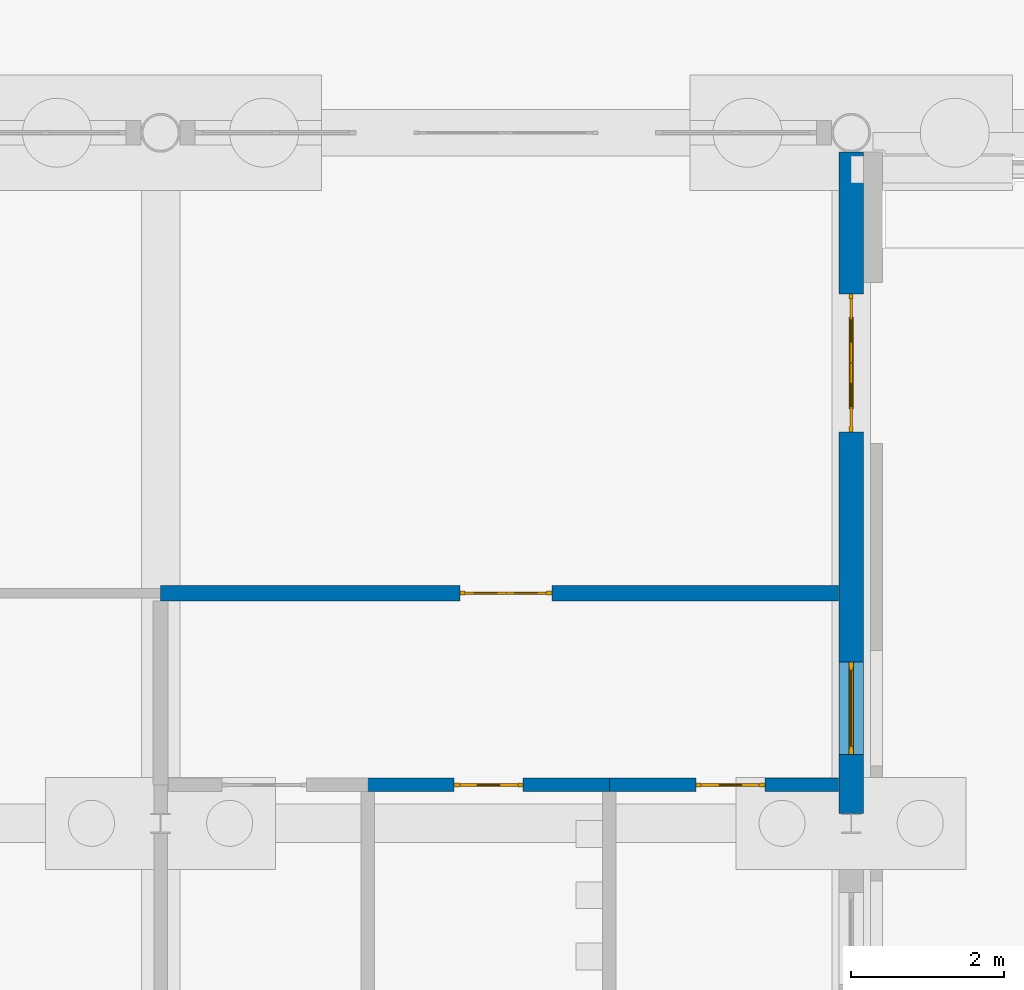
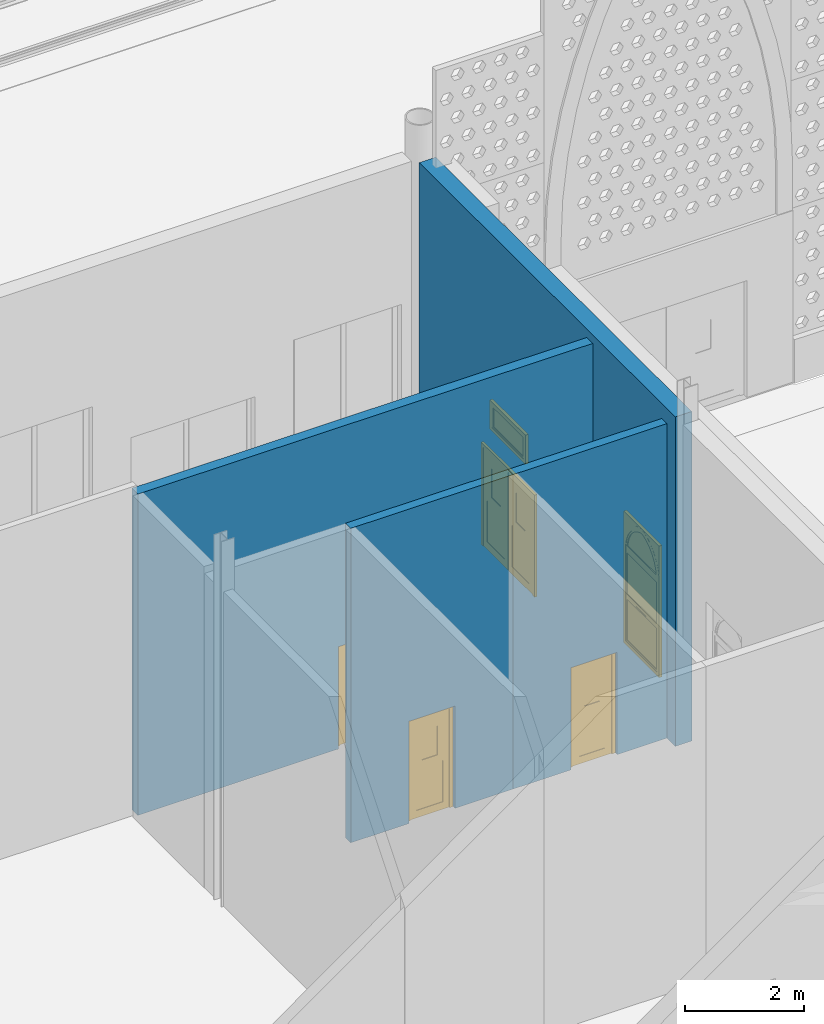
# One storey, part 119 of 250: 4 doors, 4 walls, 2 windows, 6 openings.
"""IFC4 building model written with IfcOpenShell, lengths in metres."""

from ifc_helpers import new_model, si_unit, direction, frame, frame_2d, origin, place, context, subcontext, project, spatial, polyline, rectangle, outline, extrude, material, layer, layer_set, type_object, element, fill, save


model = new_model("IFC4")

# Units and contexts
model_context = context("Model", 3, precision=1e-05, world=origin(), true_north=direction((0.0, 1.0)))
body_context = subcontext(model_context, "Body", "Model", "MODEL_VIEW")
ifc_project = project(units=[si_unit("LENGTHUNIT", "METRE"), si_unit("AREAUNIT", "SQUARE_METRE"), si_unit("VOLUMEUNIT", "CUBIC_METRE"), si_unit("PLANEANGLEUNIT", "RADIAN"), si_unit("MASSUNIT", "GRAM", prefix="KILO")], contexts=[model_context])

# Site, building, storey
site_placement = place(None, origin())
site = spatial("IfcSite", under=ifc_project, at=site_placement, CompositionType="ELEMENT")
building_placement = place(site_placement, origin())
building = spatial("IfcBuilding", under=site, at=building_placement, Name="Baradari Gate Terminus", CompositionType="ELEMENT")
storey_placement = place(building_placement, origin())
storey = spatial("IfcBuildingStorey", under=building, at=storey_placement, Name="L00", CompositionType="ELEMENT", Elevation=0.0)

# Wall, opening, door
ifc_material_1 = material(Name="Blockwork wall, plastered, fire rated", Category="masonry")
ifc_layer_1 = layer(ifc_material_1, 0.199951171875)
ifc_layer_set_1 = layer_set([ifc_layer_1], Name="Blockwork wall, plastered, fire rated")
wall_type_1 = type_object("IfcWallType", Name="Lobby partition PT-4 200 EI 60", PredefinedType="PARTITIONING", material=ifc_layer_set_1)
wall_1_placement = place(storey_placement, frame((152.837890625, 30.0, 0.0), z_axis=(0.0, 0.0, 1.0), x_axis=(-1.0, 0.0, 0.0)))
wall_1 = element("IfcWall", 1, at=wall_1_placement, inside=storey, type_object=wall_type_1, Name="PT-4 partition Corridor (Platform Passage South) / WC Lobby", PredefinedType="PARTITIONING", context=body_context, shape_type="SweptSolid", body=[
    extrude(rectangle(XDim=8.837890625, YDim=0.199951171875, at=frame_2d((4.4189453125, 0.0))), origin(), (0.0, 0.0, 1.0), 6.60009765625),
])
opening_1_placement = place(wall_1_placement, frame((3.738037109375, 0.0, 0.0)))
opening_1 = element("IfcOpeningElement", 2, at=opening_1_placement, cuts=wall_1, Name="Opening D00-137", PredefinedType="OPENING", context=body_context, shape_type="SweptSolid", body=[
    extrude(rectangle(XDim=1.199951171875, YDim=2.10009765625, at=frame_2d((0.60009765625, 1.050048828125))), frame((0.0, 0.10986328125, 0.0), z_axis=(0.0, -1.0, 0.0), x_axis=(1.0, 0.0, 0.0)), (0.0, 0.0, 1.0), 0.219970703125),
])
ifc_material_2 = material(Name="Steel S275", Category="steel")
door_type_1 = type_object("IfcDoorType", Name="Fire door FI-1200-FD60S 1200x2100 FD60S", OperationType="DOUBLE_DOOR_SINGLE_SWING", PredefinedType="DOOR", material=ifc_material_2)
door_1_placement = place(opening_1_placement, origin())
door_1 = element("IfcDoor", 3, at=door_1_placement, inside=storey, type_object=door_type_1, Name="Door WC Lobby", OperationType="DOUBLE_DOOR_SINGLE_SWING", OverallHeight=2.1, OverallWidth=1.2, PredefinedType="DOOR", context=body_context, shape_type="SweptSolid", body=[
    extrude(outline(polyline([(0.0, 0.0), (0.070068359375, 0.0), (0.070068359375, 2.030029296875), (1.1298828125, 2.030029296875), (1.1298828125, 0.0), (1.199951171875, 0.0), (1.199951171875, 2.10009765625), (0.0, 2.10009765625), (0.0, 0.0)])), frame((0.0, 0.02490234375, 0.0), z_axis=(0.0, -1.0, 0.0), x_axis=(1.0, 0.0, 0.0)), (0.0, 0.0, 1.0), 0.050048828125),
    extrude(outline(polyline([(0.073974609375, 0.010009765625), (0.596923828125, 0.010009765625), (0.596923828125, 2.026123046875), (0.073974609375, 2.026123046875), (0.073974609375, 0.010009765625)]), holes=[polyline([(0.178466796875, 0.372802734375), (0.492431640625, 0.372802734375), (0.492431640625, 1.7841796875), (0.178466796875, 1.7841796875), (0.178466796875, 0.372802734375)])]), frame((0.0, 0.017333984375, 0.0), z_axis=(0.0, -1.0, 0.0), x_axis=(1.0, 0.0, 0.0)), (0.0, 0.0, 1.0), 0.034912109375),
    extrude(rectangle(XDim=0.31396484375, YDim=1.411376953125, at=frame_2d((0.33544921875, 1.07861328125))), frame((0.0, 0.008544921875, 0.0), z_axis=(0.0, -1.0, 0.0), x_axis=(1.0, 0.0, 0.0)), (0.0, 0.0, 1.0), 0.017333984375),
    extrude(outline(polyline([(0.60302734375, 0.010009765625), (1.1259765625, 0.010009765625), (1.1259765625, 2.026123046875), (0.60302734375, 2.026123046875), (0.60302734375, 0.010009765625)]), holes=[polyline([(0.70751953125, 0.372802734375), (1.021484375, 0.372802734375), (1.021484375, 1.7841796875), (0.70751953125, 1.7841796875), (0.70751953125, 0.372802734375)])]), frame((0.0, 0.017333984375, 0.0), z_axis=(0.0, -1.0, 0.0), x_axis=(1.0, 0.0, 0.0)), (0.0, 0.0, 1.0), 0.034912109375),
    extrude(rectangle(XDim=0.31396484375, YDim=1.411376953125, at=frame_2d((0.864501953125, 1.07861328125))), frame((0.0, 0.008544921875, 0.0), z_axis=(0.0, -1.0, 0.0), x_axis=(1.0, 0.0, 0.0)), (0.0, 0.0, 1.0), 0.017333984375),
])
fill(opening_1, door_1)

# Wall, openings, windows, door
ifc_material_3 = material(Name="Sandstone masonry", Category="masonry")
ifc_layer_2 = layer(ifc_material_3, 0.320068359375)
ifc_layer_set_2 = layer_set([ifc_layer_2], Name="Sandstone masonry")
wall_type_2 = type_object("IfcWallType", Name="Sandstone masonry wall WS-3 320", PredefinedType="SOLIDWALL", material=ifc_layer_set_2)
wall_2_placement = place(storey_placement, frame((153.0, 27.130126953125, 0.0), z_axis=(0.0, 0.0, 1.0), x_axis=(0.0, 1.0, 0.0)))
wall_2 = element("IfcWall", 4, at=wall_2_placement, inside=storey, type_object=wall_type_2, Name="east end SE bay 4 L00", PredefinedType="SOLIDWALL", context=body_context, shape_type="SweptSolid", body=[
    extrude(rectangle(XDim=8.615966796875, YDim=0.320068359375, at=frame_2d((4.30810546875, 0.0))), origin(), (0.0, 0.0, 1.0), 6.767333984375),
])
opening_2_placement = place(wall_2_placement, frame((4.969970703125, 0.0, 0.0)))
opening_2 = element("IfcOpeningElement", 5, at=opening_2_placement, cuts=wall_2, Name="Opening D00-053", PredefinedType="OPENING", context=body_context, shape_type="SweptSolid", body=[
    extrude(rectangle(XDim=1.800048828125, YDim=2.10009765625, at=frame_2d((0.89990234375, 1.050048828125))), frame((0.0, 0.169921875, 0.0), z_axis=(0.0, -1.0, 0.0), x_axis=(1.0, 0.0, 0.0)), (0.0, 0.0, 1.0), 0.340087890625),
])
opening_3_placement = place(wall_2_placement, frame((5.269775390625, 0.0, 2.550048828125)))
opening_3 = element("IfcOpeningElement", 6, at=opening_3_placement, cuts=wall_2, Name="Opening W10", PredefinedType="OPENING", context=body_context, shape_type="SweptSolid", body=[
    extrude(rectangle(XDim=1.199951171875, YDim=0.60009765625, at=frame_2d((0.60009765625, 0.300048828125))), frame((0.0, 0.169921875, 0.0), z_axis=(0.0, -1.0, 0.0), x_axis=(1.0, 0.0, 0.0)), (0.0, 0.0, 1.0), 0.340087890625),
])
opening_4_placement = place(wall_2_placement, frame((0.769775390625, 0.0, 0.89990234375)))
opening_4 = element("IfcOpeningElement", 7, at=opening_4_placement, cuts=wall_2, Name="Opening W7", PredefinedType="OPENING", context=body_context, shape_type="SweptSolid", body=[
    extrude(rectangle(XDim=1.199951171875, YDim=2.699951171875, at=frame_2d((0.60009765625, 1.35009765625))), frame((0.0, 0.169921875, 0.0), z_axis=(0.0, -1.0, 0.0), x_axis=(1.0, 0.0, 0.0)), (0.0, 0.0, 1.0), 0.340087890625),
])
ifc_material_4 = material(Name="Aluminium 6063-T6", Category="aluminium")
window_type_1 = type_object("IfcWindowType", Name="Door fanlight W10 1200x600", PartitioningType="SINGLE_PANEL", PredefinedType="WINDOW", material=ifc_material_4)
window_1_placement = place(opening_3_placement, origin())
window_1 = element("IfcWindow", 8, at=window_1_placement, inside=storey, type_object=window_type_1, Name="Fanlight over Corridor (Platform Passage South)", OverallHeight=0.6, OverallWidth=1.2, PartitioningType="SINGLE_PANEL", PredefinedType="WINDOW", context=body_context, shape_type="SweptSolid", body=[
    extrude(outline(polyline([(0.0, 0.0), (1.199951171875, 0.0), (1.199951171875, 0.60009765625), (0.0, 0.60009765625), (0.0, 0.0)]), holes=[polyline([(0.070068359375, 0.070068359375), (1.1298828125, 0.070068359375), (1.1298828125, 0.530029296875), (0.070068359375, 0.530029296875), (0.070068359375, 0.070068359375)])]), frame((0.0, 0.030029296875, 0.0), z_axis=(0.0, -1.0, 0.0), x_axis=(1.0, 0.0, 0.0)), (0.0, 0.0, 1.0), 0.06005859375),
    extrude(outline(polyline([(0.070068359375, 0.070068359375), (1.1298828125, 0.070068359375), (1.1298828125, 0.530029296875), (0.070068359375, 0.530029296875), (0.070068359375, 0.070068359375)]), holes=[polyline([(0.10009765625, 0.10009765625), (1.099853515625, 0.10009765625), (1.099853515625, 0.5), (0.10009765625, 0.5), (0.10009765625, 0.10009765625)])]), frame((0.0, 0.0224609375, 0.0), z_axis=(0.0, -1.0, 0.0), x_axis=(1.0, 0.0, 0.0)), (0.0, 0.0, 1.0), 0.044921875),
    extrude(rectangle(XDim=0.999755859375, YDim=0.39990234375, at=frame_2d((0.60009765625, 0.300048828125))), frame((0.0, 0.006103515625, 0.0), z_axis=(0.0, -1.0, 0.0), x_axis=(1.0, 0.0, 0.0)), (0.0, 0.0, 1.0), 0.01220703125),
])
fill(opening_3, window_1)
ifc_material_5 = material(Name="Aluminium 6063-T6", Category="aluminium")
window_type_2 = type_object("IfcWindowType", Name="Service block window W7 1200x2700", PartitioningType="DOUBLE_PANEL_HORIZONTAL", PredefinedType="WINDOW", material=ifc_material_5)
window_2_placement = place(opening_4_placement, origin())
window_2 = element("IfcWindow", 9, at=window_2_placement, inside=storey, type_object=window_type_2, Name="Window W7 SE/03", OverallHeight=2.7, OverallWidth=1.2, PartitioningType="DOUBLE_PANEL_HORIZONTAL", PredefinedType="WINDOW", context=body_context, shape_type="SweptSolid", body=[
    extrude(outline(polyline([(0.0, 0.0), (1.199951171875, 0.0), (1.199951171875, 1.969970703125), (1.195068359375, 2.05517578125), (1.180419921875, 2.13916015625), (1.15625, 2.220947265625), (1.123046875, 2.29931640625), (1.0810546875, 2.37353515625), (1.03076171875, 2.4423828125), (0.972900390625, 2.505126953125), (0.908203125, 2.560791015625), (0.837646484375, 2.608642578125), (0.76220703125, 2.648193359375), (0.6826171875, 2.6787109375), (0.599853515625, 2.699951171875), (0.517333984375, 2.6787109375), (0.437744140625, 2.648193359375), (0.3623046875, 2.608642578125), (0.291748046875, 2.560791015625), (0.22705078125, 2.505126953125), (0.169189453125, 2.4423828125), (0.118896484375, 2.37353515625), (0.076904296875, 2.29931640625), (0.043701171875, 2.220947265625), (0.01953125, 2.13916015625), (0.0048828125, 2.05517578125), (0.0, 1.969970703125), (0.0, 0.0)]), holes=[polyline([(0.070068359375, 0.070068359375), (1.1298828125, 0.070068359375), (1.1298828125, 1.969970703125), (1.12548828125, 2.0458984375), (1.11279296875, 2.12109375), (1.091552734375, 2.1943359375), (1.062255859375, 2.2646484375), (1.025390625, 2.3310546875), (0.98095703125, 2.39306640625), (0.929931640625, 2.44970703125), (0.873046875, 2.500244140625), (0.810791015625, 2.5439453125), (0.743896484375, 2.58056640625), (0.67333984375, 2.609375), (0.60009765625, 2.6298828125), (0.526611328125, 2.609375), (0.4560546875, 2.58056640625), (0.38916015625, 2.5439453125), (0.326904296875, 2.500244140625), (0.27001953125, 2.44970703125), (0.218994140625, 2.39306640625), (0.174560546875, 2.3310546875), (0.1376953125, 2.2646484375), (0.1083984375, 2.1943359375), (0.087158203125, 2.12109375), (0.074462890625, 2.0458984375), (0.070068359375, 1.969970703125), (0.070068359375, 0.070068359375)])]), frame((0.0, 0.030029296875, 0.0), z_axis=(0.0, -1.0, 0.0), x_axis=(1.0, 0.0, 0.0)), (0.0, 0.0, 1.0), 0.06005859375),
    extrude(outline(polyline([(0.0, 1.969970703125), (0.0048828125, 2.05517578125), (0.01953125, 2.13916015625), (0.043701171875, 2.220947265625), (0.076904296875, 2.29931640625), (0.118896484375, 2.37353515625), (0.169189453125, 2.4423828125), (0.22705078125, 2.505126953125), (0.291748046875, 2.560791015625), (0.3623046875, 2.608642578125), (0.437744140625, 2.648193359375), (0.517333984375, 2.6787109375), (0.599853515625, 2.699951171875), (0.0, 2.699951171875), (0.0, 1.969970703125)])), frame((0.0, 0.028076171875, 0.0), z_axis=(0.0, -1.0, 0.0), x_axis=(1.0, 0.0, 0.0)), (0.0, 0.0, 1.0), 0.05615234375),
    extrude(outline(polyline([(0.599853515625, 2.699951171875), (0.6826171875, 2.6787109375), (0.76220703125, 2.648193359375), (0.837646484375, 2.608642578125), (0.908203125, 2.560791015625), (0.972900390625, 2.505126953125), (1.03076171875, 2.4423828125), (1.0810546875, 2.37353515625), (1.123046875, 2.29931640625), (1.15625, 2.220947265625), (1.180419921875, 2.13916015625), (1.195068359375, 2.05517578125), (1.199951171875, 1.969970703125), (1.199951171875, 2.699951171875), (0.599853515625, 2.699951171875)])), frame((0.0, 0.027099609375, 0.0), z_axis=(0.0, -1.0, 0.0), x_axis=(1.0, 0.0, 0.0)), (0.0, 0.0, 1.0), 0.05419921875),
    extrude(outline(polyline([(1.127685546875, 2.010009765625), (0.072265625, 2.010009765625), (0.070068359375, 1.969970703125), (0.070068359375, 1.929931640625), (1.1298828125, 1.929931640625), (1.1298828125, 1.969970703125), (1.127685546875, 2.010009765625)])), frame((0.0, 0.02099609375, 0.0), z_axis=(0.0, -1.0, 0.0), x_axis=(1.0, 0.0, 0.0)), (0.0, 0.0, 1.0), 0.0419921875),
    extrude(rectangle(XDim=1.059814453125, YDim=0.0400390625, at=frame_2d((0.60009765625, 1.0))), frame((0.0, 0.021484375, 0.0), z_axis=(0.0, -1.0, 0.0), x_axis=(1.0, 0.0, 0.0)), (0.0, 0.0, 1.0), 0.04296875),
    extrude(outline(polyline([(0.070068359375, 0.070068359375), (1.1298828125, 0.070068359375), (1.1298828125, 0.97998046875), (0.070068359375, 0.97998046875), (0.070068359375, 0.070068359375)]), holes=[polyline([(0.10009765625, 0.10009765625), (1.099853515625, 0.10009765625), (1.099853515625, 0.949951171875), (0.10009765625, 0.949951171875), (0.10009765625, 0.10009765625)])]), frame((0.0, 0.0224609375, 0.0), z_axis=(0.0, -1.0, 0.0), x_axis=(1.0, 0.0, 0.0)), (0.0, 0.0, 1.0), 0.044921875),
    extrude(rectangle(XDim=0.999755859375, YDim=0.849853515625, at=frame_2d((0.60009765625, 0.52490234375))), frame((0.0, 0.006103515625, 0.0), z_axis=(0.0, -1.0, 0.0), x_axis=(1.0, 0.0, 0.0)), (0.0, 0.0, 1.0), 0.01220703125),
    extrude(outline(polyline([(0.070068359375, 1.02001953125), (1.1298828125, 1.02001953125), (1.1298828125, 1.929931640625), (0.070068359375, 1.929931640625), (0.070068359375, 1.02001953125)]), holes=[polyline([(0.10009765625, 1.050048828125), (1.099853515625, 1.050048828125), (1.099853515625, 1.89990234375), (0.10009765625, 1.89990234375), (0.10009765625, 1.050048828125)])]), frame((0.0, 0.0224609375, 0.0), z_axis=(0.0, -1.0, 0.0), x_axis=(1.0, 0.0, 0.0)), (0.0, 0.0, 1.0), 0.044921875),
    extrude(rectangle(XDim=0.999755859375, YDim=0.849853515625, at=frame_2d((0.60009765625, 1.47509765625))), frame((0.0, 0.006103515625, 0.0), z_axis=(0.0, -1.0, 0.0), x_axis=(1.0, 0.0, 0.0)), (0.0, 0.0, 1.0), 0.01220703125),
    extrude(outline(polyline([(0.072265625, 2.010009765625), (1.127685546875, 2.010009765625), (1.12548828125, 2.0458984375), (1.11279296875, 2.12109375), (1.091552734375, 2.1943359375), (1.062255859375, 2.2646484375), (1.025390625, 2.3310546875), (0.98095703125, 2.39306640625), (0.929931640625, 2.44970703125), (0.873046875, 2.500244140625), (0.810791015625, 2.5439453125), (0.743896484375, 2.58056640625), (0.67333984375, 2.609375), (0.60009765625, 2.6298828125), (0.526611328125, 2.609375), (0.4560546875, 2.58056640625), (0.38916015625, 2.5439453125), (0.326904296875, 2.500244140625), (0.27001953125, 2.44970703125), (0.218994140625, 2.39306640625), (0.174560546875, 2.3310546875), (0.1376953125, 2.2646484375), (0.1083984375, 2.1943359375), (0.087158203125, 2.12109375), (0.074462890625, 2.0458984375), (0.072265625, 2.010009765625)]), holes=[polyline([(0.10986328125, 2.044921875), (0.121337890625, 2.11328125), (0.141357421875, 2.1826171875), (0.169189453125, 2.249267578125), (0.2041015625, 2.312255859375), (0.246337890625, 2.37109375), (0.294677734375, 2.4248046875), (0.3486328125, 2.47265625), (0.40771484375, 2.51416015625), (0.47119140625, 2.548828125), (0.5380859375, 2.576171875), (0.60009765625, 2.593505859375), (0.661865234375, 2.576171875), (0.728759765625, 2.548828125), (0.792236328125, 2.51416015625), (0.851318359375, 2.47265625), (0.9052734375, 2.4248046875), (0.95361328125, 2.37109375), (0.995849609375, 2.312255859375), (1.03076171875, 2.249267578125), (1.05859375, 2.1826171875), (1.07861328125, 2.11328125), (1.090087890625, 2.044921875), (0.10986328125, 2.044921875)])]), frame((0.0, 0.0224609375, 0.0), z_axis=(0.0, -1.0, 0.0), x_axis=(1.0, 0.0, 0.0)), (0.0, 0.0, 1.0), 0.044921875),
    extrude(outline(polyline([(1.090087890625, 2.044921875), (1.07861328125, 2.11328125), (1.05859375, 2.1826171875), (1.03076171875, 2.249267578125), (0.995849609375, 2.312255859375), (0.95361328125, 2.37109375), (0.9052734375, 2.4248046875), (0.851318359375, 2.47265625), (0.792236328125, 2.51416015625), (0.728759765625, 2.548828125), (0.661865234375, 2.576171875), (0.60009765625, 2.593505859375), (0.5380859375, 2.576171875), (0.47119140625, 2.548828125), (0.40771484375, 2.51416015625), (0.3486328125, 2.47265625), (0.294677734375, 2.4248046875), (0.246337890625, 2.37109375), (0.2041015625, 2.312255859375), (0.169189453125, 2.249267578125), (0.141357421875, 2.1826171875), (0.121337890625, 2.11328125), (0.10986328125, 2.044921875), (1.090087890625, 2.044921875)])), frame((0.0, 0.006103515625, 0.0), z_axis=(0.0, -1.0, 0.0), x_axis=(1.0, 0.0, 0.0)), (0.0, 0.0, 1.0), 0.01220703125),
])
fill(opening_4, window_2)
ifc_material_6 = material(Name="Steel S235", Category="steel")
door_type_2 = type_object("IfcDoorType", Name="Store door pair, steel DT-5 1800x2100", OperationType="DOUBLE_DOOR_SINGLE_SWING", PredefinedType="DOOR", material=ifc_material_6)
door_2_placement = place(opening_2_placement, frame((1.800048828125, 0.0, 0.0), z_axis=(0.0, 0.0, 1.0), x_axis=(-1.0, 0.0, 0.0)))
door_2 = element("IfcDoor", 10, at=door_2_placement, inside=storey, type_object=door_type_2, Name="Exit door Corridor (Platform Passage South)", OperationType="DOUBLE_DOOR_SINGLE_SWING", OverallHeight=2.1, OverallWidth=1.8, PredefinedType="DOOR", context=body_context, shape_type="SweptSolid", body=[
    extrude(outline(polyline([(0.0, 0.0), (0.070068359375, 0.0), (0.070068359375, 2.030029296875), (1.72998046875, 2.030029296875), (1.72998046875, 0.0), (1.800048828125, 0.0), (1.800048828125, 2.10009765625), (0.0, 2.10009765625), (0.0, 0.0)])), frame((0.0, 0.02490234375, 0.0), z_axis=(0.0, -1.0, 0.0), x_axis=(1.0, 0.0, 0.0)), (0.0, 0.0, 1.0), 0.050048828125),
    extrude(outline(polyline([(0.073974609375, 0.010009765625), (0.89697265625, 0.010009765625), (0.89697265625, 2.026123046875), (0.073974609375, 2.026123046875), (0.073974609375, 0.010009765625)]), holes=[polyline([(0.194091796875, 0.159912109375), (0.77685546875, 0.159912109375), (0.77685546875, 1.010009765625), (0.194091796875, 1.010009765625), (0.194091796875, 0.159912109375)]), polyline([(0.33544921875, 1.159912109375), (0.635498046875, 1.159912109375), (0.635498046875, 1.760009765625), (0.33544921875, 1.760009765625), (0.33544921875, 1.159912109375)])]), frame((0.0, 0.017333984375, 0.0), z_axis=(0.0, -1.0, 0.0), x_axis=(1.0, 0.0, 0.0)), (0.0, 0.0, 1.0), 0.034912109375),
    extrude(rectangle(XDim=0.582763671875, YDim=0.85009765625, at=frame_2d((0.4853515625, 0.5849609375))), frame((0.0, 0.008544921875, 0.0), z_axis=(0.0, -1.0, 0.0), x_axis=(1.0, 0.0, 0.0)), (0.0, 0.0, 1.0), 0.017333984375),
    extrude(rectangle(XDim=0.300048828125, YDim=0.60009765625, at=frame_2d((0.4853515625, 1.4599609375))), frame((0.0, 0.005859375, 0.0), z_axis=(0.0, -1.0, 0.0), x_axis=(1.0, 0.0, 0.0)), (0.0, 0.0, 1.0), 0.011962890625),
    extrude(outline(polyline([(0.903076171875, 0.010009765625), (1.72607421875, 0.010009765625), (1.72607421875, 2.026123046875), (0.903076171875, 2.026123046875), (0.903076171875, 0.010009765625)]), holes=[polyline([(1.023193359375, 0.159912109375), (1.60595703125, 0.159912109375), (1.60595703125, 1.010009765625), (1.023193359375, 1.010009765625), (1.023193359375, 0.159912109375)]), polyline([(1.16455078125, 1.159912109375), (1.464599609375, 1.159912109375), (1.464599609375, 1.760009765625), (1.16455078125, 1.760009765625), (1.16455078125, 1.159912109375)])]), frame((0.0, 0.017333984375, 0.0), z_axis=(0.0, -1.0, 0.0), x_axis=(1.0, 0.0, 0.0)), (0.0, 0.0, 1.0), 0.034912109375),
    extrude(rectangle(XDim=0.582763671875, YDim=0.85009765625, at=frame_2d((1.314453125, 0.5849609375))), frame((0.0, 0.008544921875, 0.0), z_axis=(0.0, -1.0, 0.0), x_axis=(1.0, 0.0, 0.0)), (0.0, 0.0, 1.0), 0.017333984375),
    extrude(rectangle(XDim=0.300048828125, YDim=0.60009765625, at=frame_2d((1.314453125, 1.4599609375))), frame((0.0, 0.005859375, 0.0), z_axis=(0.0, -1.0, 0.0), x_axis=(1.0, 0.0, 0.0)), (0.0, 0.0, 1.0), 0.011962890625),
])
fill(opening_2, door_2)

# Wall, opening, door
ifc_material_7 = material(Name="Blockwork wall, tiled both faces", Category="masonry")
ifc_layer_3 = layer(ifc_material_7, 0.175048828125)
ifc_layer_set_3 = layer_set([ifc_layer_3], Name="Blockwork wall, tiled both faces")
wall_type_3 = type_object("IfcWallType", Name="WC wet wall PT-6 175 EI 60", PredefinedType="PARTITIONING", material=ifc_layer_set_3)
wall_3_placement = place(storey_placement, frame((149.85009765625, 27.5, 0.0), z_axis=(0.0, 0.0, 1.0), x_axis=(-1.0, 0.0, 0.0)))
wall_3 = element("IfcWall", 11, at=wall_3_placement, inside=storey, type_object=wall_type_3, Name="PT-6 partition WC Lobby / Male WC", PredefinedType="PARTITIONING", context=body_context, shape_type="SweptSolid", body=[
    extrude(rectangle(XDim=3.150146484375, YDim=0.175048828125, at=frame_2d((1.5751953125, 0.0))), origin(), (0.0, 0.0, 1.0), 6.458984375),
])
opening_5_placement = place(wall_3_placement, frame((1.125, 0.0, 0.0)))
opening_5 = element("IfcOpeningElement", 12, at=opening_5_placement, cuts=wall_3, Name="Opening D00-139", PredefinedType="OPENING", context=body_context, shape_type="SweptSolid", body=[
    extrude(rectangle(XDim=0.89990234375, YDim=2.10009765625, at=frame_2d((0.449951171875, 1.050048828125))), frame((0.0, 0.097412109375, 0.0), z_axis=(0.0, -1.0, 0.0), x_axis=(1.0, 0.0, 0.0)), (0.0, 0.0, 1.0), 0.195068359375),
])
ifc_material_8 = material(Name="Steel S275", Category="steel")
door_type_3 = type_object("IfcDoorType", Name="Fire door FI-900-FD60S 900x2100 FD60S", OperationType="SINGLE_SWING_LEFT", PredefinedType="DOOR", material=ifc_material_8)
door_3_placement = place(opening_5_placement, origin())
door_3 = element("IfcDoor", 13, at=door_3_placement, inside=storey, type_object=door_type_3, Name="Door Male WC", OperationType="SINGLE_SWING_LEFT", OverallHeight=2.1, OverallWidth=0.9, PredefinedType="DOOR", context=body_context, shape_type="SweptSolid", body=[
    extrude(outline(polyline([(0.0, 0.0), (0.070068359375, 0.0), (0.070068359375, 2.030029296875), (0.829833984375, 2.030029296875), (0.829833984375, 0.0), (0.89990234375, 0.0), (0.89990234375, 2.10009765625), (0.0, 2.10009765625), (0.0, 0.0)])), frame((0.0, 0.02490234375, 0.0), z_axis=(0.0, -1.0, 0.0), x_axis=(1.0, 0.0, 0.0)), (0.0, 0.0, 1.0), 0.050048828125),
    extrude(outline(polyline([(0.073974609375, 0.010009765625), (0.825927734375, 0.010009765625), (0.825927734375, 2.026123046875), (0.073974609375, 2.026123046875), (0.073974609375, 0.010009765625)]), holes=[polyline([(0.194091796875, 0.159912109375), (0.705810546875, 0.159912109375), (0.705810546875, 1.010009765625), (0.194091796875, 1.010009765625), (0.194091796875, 0.159912109375)]), polyline([(0.300048828125, 1.159912109375), (0.599853515625, 1.159912109375), (0.599853515625, 1.760009765625), (0.300048828125, 1.760009765625), (0.300048828125, 1.159912109375)])]), frame((0.0, 0.017333984375, 0.0), z_axis=(0.0, -1.0, 0.0), x_axis=(1.0, 0.0, 0.0)), (0.0, 0.0, 1.0), 0.034912109375),
    extrude(rectangle(XDim=0.51171875, YDim=0.85009765625, at=frame_2d((0.449951171875, 0.5849609375))), frame((0.0, 0.008544921875, 0.0), z_axis=(0.0, -1.0, 0.0), x_axis=(1.0, 0.0, 0.0)), (0.0, 0.0, 1.0), 0.017333984375),
    extrude(rectangle(XDim=0.2998046875, YDim=0.60009765625, at=frame_2d((0.449951171875, 1.4599609375))), frame((0.0, 0.005859375, 0.0), z_axis=(0.0, -1.0, 0.0), x_axis=(1.0, 0.0, 0.0)), (0.0, 0.0, 1.0), 0.011962890625),
])
fill(opening_5, door_3)

wall_4_placement = place(storey_placement, frame((152.837890625, 27.5, 0.0), z_axis=(0.0, 0.0, 1.0), x_axis=(-1.0, 0.0, 0.0)))
wall_4 = element("IfcWall", 14, at=wall_4_placement, inside=storey, type_object=wall_type_3, Name="PT-6 partition WC Lobby / Female WC", PredefinedType="PARTITIONING", context=body_context, shape_type="SweptSolid", body=[
    extrude(rectangle(XDim=2.98779296875, YDim=0.175048828125, at=frame_2d((1.493896484375, 0.0))), origin(), (0.0, 0.0, 1.0), 6.458984375),
])
opening_6_placement = place(wall_4_placement, frame((0.962890625, 0.0, 0.0)))
opening_6 = element("IfcOpeningElement", 15, at=opening_6_placement, cuts=wall_4, Name="Opening D00-140", PredefinedType="OPENING", context=body_context, shape_type="SweptSolid", body=[
    extrude(rectangle(XDim=0.89990234375, YDim=2.10009765625, at=frame_2d((0.449951171875, 1.050048828125))), frame((0.0, 0.097412109375, 0.0), z_axis=(0.0, -1.0, 0.0), x_axis=(1.0, 0.0, 0.0)), (0.0, 0.0, 1.0), 0.195068359375),
])
door_4_placement = place(opening_6_placement, origin())
door_4 = element("IfcDoor", 16, at=door_4_placement, inside=storey, type_object=door_type_3, Name="Door Female WC", OperationType="SINGLE_SWING_LEFT", OverallHeight=2.1, OverallWidth=0.9, PredefinedType="DOOR", context=body_context, shape_type="SweptSolid", body=[
    extrude(outline(polyline([(0.0, 0.0), (0.070068359375, 0.0), (0.070068359375, 2.030029296875), (0.829833984375, 2.030029296875), (0.829833984375, 0.0), (0.89990234375, 0.0), (0.89990234375, 2.10009765625), (0.0, 2.10009765625), (0.0, 0.0)])), frame((0.0, 0.02490234375, 0.0), z_axis=(0.0, -1.0, 0.0), x_axis=(1.0, 0.0, 0.0)), (0.0, 0.0, 1.0), 0.050048828125),
    extrude(outline(polyline([(0.073974609375, 0.010009765625), (0.825927734375, 0.010009765625), (0.825927734375, 2.026123046875), (0.073974609375, 2.026123046875), (0.073974609375, 0.010009765625)]), holes=[polyline([(0.194091796875, 0.159912109375), (0.705810546875, 0.159912109375), (0.705810546875, 1.010009765625), (0.194091796875, 1.010009765625), (0.194091796875, 0.159912109375)]), polyline([(0.300048828125, 1.159912109375), (0.599853515625, 1.159912109375), (0.599853515625, 1.760009765625), (0.300048828125, 1.760009765625), (0.300048828125, 1.159912109375)])]), frame((0.0, 0.017333984375, 0.0), z_axis=(0.0, -1.0, 0.0), x_axis=(1.0, 0.0, 0.0)), (0.0, 0.0, 1.0), 0.034912109375),
    extrude(rectangle(XDim=0.51171875, YDim=0.85009765625, at=frame_2d((0.449951171875, 0.5849609375))), frame((0.0, 0.008544921875, 0.0), z_axis=(0.0, -1.0, 0.0), x_axis=(1.0, 0.0, 0.0)), (0.0, 0.0, 1.0), 0.017333984375),
    extrude(rectangle(XDim=0.2998046875, YDim=0.60009765625, at=frame_2d((0.449951171875, 1.4599609375))), frame((0.0, 0.005859375, 0.0), z_axis=(0.0, -1.0, 0.0), x_axis=(1.0, 0.0, 0.0)), (0.0, 0.0, 1.0), 0.011962890625),
])
fill(opening_6, door_4)

save(model, "model.ifc")
